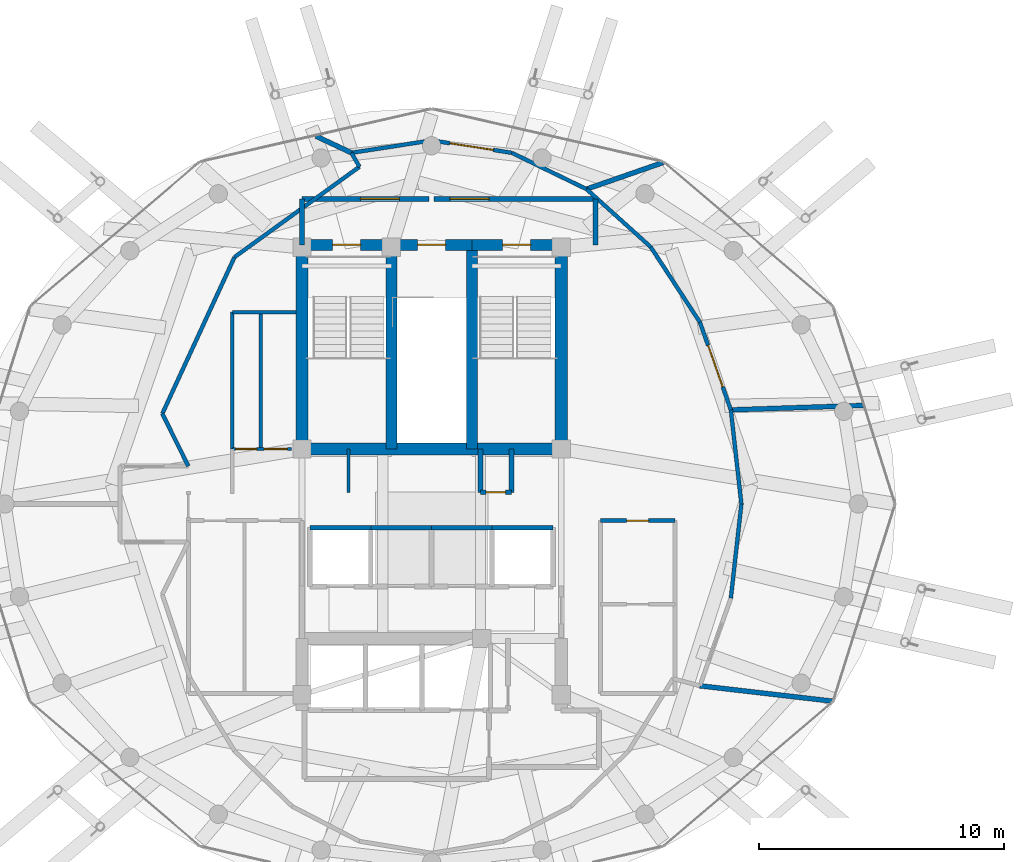
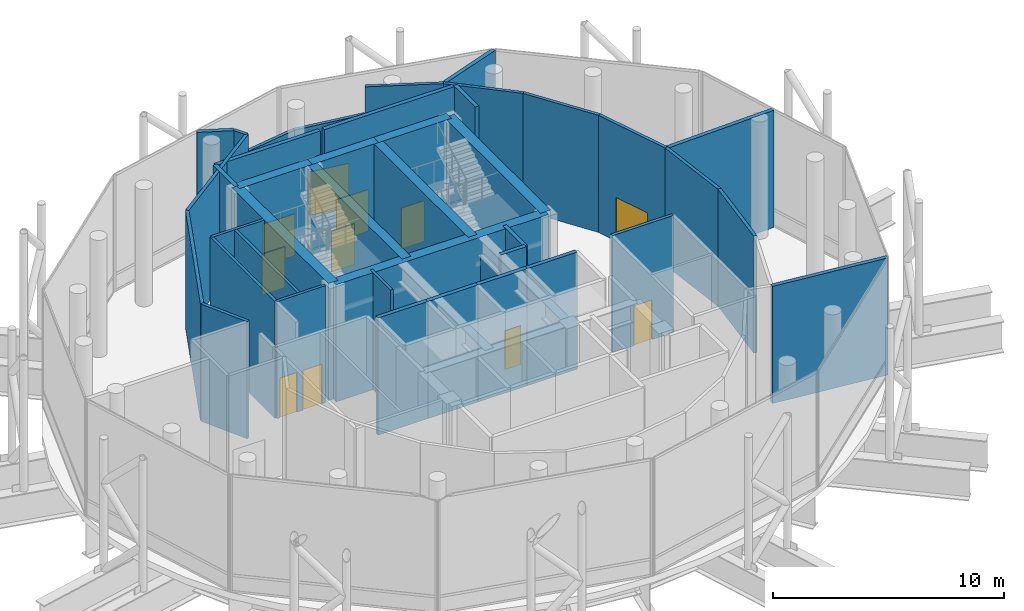
# One storey, part 22 of 26: 41 walls, 11 doors, 11 openings.
"""IFC4 building model written with IfcOpenShell, lengths in metres."""

from ifc_helpers import new_model, si_unit, direction, frame, frame_2d, origin, place, context, subcontext, project, spatial, rectangle, extrude, material, layer, layer_set, type_object, element, fill, save


model = new_model("IFC4")

# Units and contexts
model_context = context("Model", 3, precision=1e-05, world=origin(), true_north=direction((0.0, 1.0)))
body_context = subcontext(model_context, "Body", "Model", "MODEL_VIEW")
ifc_project = project(units=[si_unit("LENGTHUNIT", "METRE"), si_unit("AREAUNIT", "SQUARE_METRE"), si_unit("VOLUMEUNIT", "CUBIC_METRE"), si_unit("PLANEANGLEUNIT", "RADIAN"), si_unit("MASSUNIT", "GRAM", prefix="KILO")], contexts=[model_context])

# Site, building, storey
site_placement = place(None, origin())
site = spatial("IfcSite", under=ifc_project, at=site_placement, CompositionType="ELEMENT")
building_placement = place(site_placement, origin())
building = spatial("IfcBuilding", under=site, at=building_placement, Name="Nuhasar Tower", CompositionType="ELEMENT")
storey_placement = place(building_placement, frame((0.0, 0.0, 306.800048828125)))
storey = spatial("IfcBuildingStorey", under=building, at=storey_placement, Name="L76", CompositionType="ELEMENT", Elevation=306.800048828125)

# Wall, opening, door
ifc_material_1 = material(Name="Concrete C50/60", Category="concrete")
ifc_layer_1 = layer(ifc_material_1, 0.449951171875)
ifc_layer_set_1 = layer_set([ifc_layer_1], Name="Concrete C50/60")
wall_type_1 = type_object("IfcWallType", Name="WL-CORE-450", PredefinedType="SHEAR", material=ifc_layer_set_1)
wall_1_placement = place(storey_placement, frame((37.35009765625, 37.39990234375, 0.0), z_axis=(0.0, 0.0, 1.0), x_axis=(-1.0, 0.0, 0.0)))
wall_1 = element("IfcWall", 1, at=wall_1_placement, inside=storey, type_object=wall_type_1, Name="L76 Stairwell Shear Wall ST01-N", PredefinedType="SHEAR", context=body_context, shape_type="SweptSolid", body=[
    extrude(rectangle(XDim=3.650146484375, YDim=0.449951171875, at=frame_2d((1.8251953125, 0.0))), origin(), (0.0, 0.0, 1.0), 6.179931640625),
])
opening_1_placement = place(wall_1_placement, frame((1.25, 0.0, 0.0)))
opening_1 = element("IfcOpeningElement", 2, at=opening_1_placement, cuts=wall_1, Name="Opening DS-01", PredefinedType="OPENING", context=body_context, shape_type="SweptSolid", body=[
    extrude(rectangle(XDim=1.14990234375, YDim=2.14990234375, at=frame_2d((0.574951171875, 1.074951171875))), frame((0.0, 0.23486328125, 0.0), z_axis=(0.0, -1.0, 0.0), x_axis=(1.0, 0.0, 0.0)), (0.0, 0.0, 1.0), 0.469970703125),
])
ifc_material_2 = material(Name="Steel S355", Category="steel")
door_type_1 = type_object("IfcDoorType", Name="DR-STAIR-FD120-1150", OperationType="NOTDEFINED", PredefinedType="DOOR", material=ifc_material_2)
door_1_placement = place(opening_1_placement, origin())
door_1 = element("IfcDoor", 3, at=door_1_placement, inside=storey, type_object=door_type_1, Name="L76 Exit Stair ST-01 Door", OperationType="SINGLE_SWING_RIGHT", OverallHeight=2.14990234375, OverallWidth=1.14990234375, PredefinedType="DOOR", context=body_context, shape_type="SweptSolid", body=[
    extrude(rectangle(XDim=1.14990234375, YDim=2.14990234375, at=frame_2d((0.574951171875, 1.074951171875))), frame((0.0, 0.02490234375, 0.0), z_axis=(0.0, -1.0, 0.0), x_axis=(1.0, 0.0, 0.0)), (0.0, 0.0, 1.0), 0.050048828125),
])
fill(opening_1, door_1)

# Wall
wall_2_placement = place(storey_placement, frame((37.35009765625, 29.050048828125, 0.0), z_axis=(0.0, 0.0, 1.0), x_axis=(0.0, 1.0, 0.0)))
element("IfcWall", 4, at=wall_2_placement, inside=storey, type_object=wall_type_1, Name="L76 Stairwell Shear Wall ST01-E", PredefinedType="SHEAR", context=body_context, shape_type="SweptSolid", body=[
    extrude(rectangle(XDim=8.349853515625, YDim=0.449951171875, at=frame_2d((4.1748046875, 0.0))), origin(), (0.0, 0.0, 1.0), 6.179931640625),
])

# Wall, opening, door
wall_3_placement = place(storey_placement, frame((40.64990234375, 37.39990234375, 0.0), z_axis=(0.0, 0.0, 1.0), x_axis=(-1.0, 0.0, 0.0)))
wall_3 = element("IfcWall", 5, at=wall_3_placement, inside=storey, type_object=wall_type_1, Name="L76 Stairwell Shear Wall ST03-N", PredefinedType="SHEAR", context=body_context, shape_type="SweptSolid", body=[
    extrude(rectangle(XDim=3.2998046875, YDim=0.449951171875, at=frame_2d((1.64990234375, 0.0))), origin(), (0.0, 0.0, 1.0), 6.179931640625),
])
opening_2_placement = place(wall_3_placement, frame((1.074951171875, 0.0, 0.0)))
opening_2 = element("IfcOpeningElement", 6, at=opening_2_placement, cuts=wall_3, Name="Opening DS-01", PredefinedType="OPENING", context=body_context, shape_type="SweptSolid", body=[
    extrude(rectangle(XDim=1.14990234375, YDim=2.14990234375, at=frame_2d((0.574951171875, 1.074951171875))), frame((0.0, 0.23486328125, 0.0), z_axis=(0.0, -1.0, 0.0), x_axis=(1.0, 0.0, 0.0)), (0.0, 0.0, 1.0), 0.469970703125),
])
door_2_placement = place(opening_2_placement, origin())
door_2 = element("IfcDoor", 7, at=door_2_placement, inside=storey, type_object=door_type_1, Name="L76 Exit Stair ST-03 Door", OperationType="SINGLE_SWING_RIGHT", OverallHeight=2.14990234375, OverallWidth=1.14990234375, PredefinedType="DOOR", context=body_context, shape_type="SweptSolid", body=[
    extrude(rectangle(XDim=1.14990234375, YDim=2.14990234375, at=frame_2d((0.574951171875, 1.074951171875))), frame((0.0, 0.02490234375, 0.0), z_axis=(0.0, -1.0, 0.0), x_axis=(1.0, 0.0, 0.0)), (0.0, 0.0, 1.0), 0.050048828125),
])
fill(opening_2, door_2)

# Wall
wall_4_placement = place(storey_placement, frame((40.64990234375, 29.050048828125, 0.0), z_axis=(0.0, 0.0, 1.0), x_axis=(0.0, 1.0, 0.0)))
element("IfcWall", 8, at=wall_4_placement, inside=storey, type_object=wall_type_1, Name="L76 Stairwell Shear Wall ST03-E", PredefinedType="SHEAR", context=body_context, shape_type="SweptSolid", body=[
    extrude(rectangle(XDim=8.349853515625, YDim=0.449951171875, at=frame_2d((4.1748046875, 0.0))), origin(), (0.0, 0.0, 1.0), 6.179931640625),
])

# Wall, opening, door
wall_5_placement = place(storey_placement, frame((44.300048828125, 37.39990234375, 0.0), z_axis=(0.0, 0.0, 1.0), x_axis=(-1.0, 0.0, 0.0)))
wall_5 = element("IfcWall", 9, at=wall_5_placement, inside=storey, type_object=wall_type_1, Name="L76 Stairwell Shear Wall ST02-N", PredefinedType="SHEAR", context=body_context, shape_type="SweptSolid", body=[
    extrude(rectangle(XDim=3.650146484375, YDim=0.449951171875, at=frame_2d((1.8251953125, 0.0))), origin(), (0.0, 0.0, 1.0), 6.179931640625),
])
opening_3_placement = place(wall_5_placement, frame((1.25, 0.0, 0.0)))
opening_3 = element("IfcOpeningElement", 10, at=opening_3_placement, cuts=wall_5, Name="Opening DS-01", PredefinedType="OPENING", context=body_context, shape_type="SweptSolid", body=[
    extrude(rectangle(XDim=1.14990234375, YDim=2.14990234375, at=frame_2d((0.574951171875, 1.074951171875))), frame((0.0, 0.23486328125, 0.0), z_axis=(0.0, -1.0, 0.0), x_axis=(1.0, 0.0, 0.0)), (0.0, 0.0, 1.0), 0.469970703125),
])
door_3_placement = place(opening_3_placement, origin())
door_3 = element("IfcDoor", 11, at=door_3_placement, inside=storey, type_object=door_type_1, Name="L76 Exit Stair ST-02 Door", OperationType="SINGLE_SWING_LEFT", OverallHeight=2.14990234375, OverallWidth=1.14990234375, PredefinedType="DOOR", context=body_context, shape_type="SweptSolid", body=[
    extrude(rectangle(XDim=1.14990234375, YDim=2.14990234375, at=frame_2d((0.574951171875, 1.074951171875))), frame((0.0, 0.02490234375, 0.0), z_axis=(0.0, -1.0, 0.0), x_axis=(1.0, 0.0, 0.0)), (0.0, 0.0, 1.0), 0.050048828125),
])
fill(opening_3, door_3)

# Walls
ifc_layer_2 = layer(ifc_material_1, 0.5)
ifc_layer_set_2 = layer_set([ifc_layer_2], Name="Concrete C50/60")
wall_type_2 = type_object("IfcWallType", Name="WL-CORE-500", PredefinedType="SHEAR", material=ifc_layer_set_2)
for number, where, z_axis, x_axis, name in (
    (12, (33.699951171875, 29.050048828125, 0.0), (0.0, 0.0, 1.0), (0.0, 1.0, 0.0), "L76 Core Shear Wall CW-NW CW-500"),
    (13, (44.300048828125, 29.050048828125, 0.0), (0.0, 0.0, 1.0), (0.0, 1.0, 0.0), "L76 Core Shear Wall CW-NE CW-500"),
):
    element("IfcWall", number, at=place(storey_placement, frame(where, z_axis=z_axis, x_axis=x_axis)), inside=storey, type_object=wall_type_2, Name=name, PredefinedType="SHEAR", context=body_context, shape_type="SweptSolid", body=[
        extrude(rectangle(XDim=8.349853515625, YDim=0.5, at=frame_2d((4.1748046875, 0.0))), origin(), (0.0, 0.0, 1.0), 6.179931640625),
    ])
wall_6_placement = place(storey_placement, frame((33.699951171875, 29.050048828125, 0.0), z_axis=(0.0, 0.0, 1.0), x_axis=(1.0, 0.0, 0.0)))
element("IfcWall", 14, at=wall_6_placement, inside=storey, type_object=wall_type_2, Name="L76 Core Shear Wall CW-N1 CW-500", PredefinedType="SHEAR", context=body_context, shape_type="SweptSolid", body=[
    extrude(rectangle(XDim=10.60009765625, YDim=0.5, at=frame_2d((5.300048828125, 0.0))), origin(), (0.0, 0.0, 1.0), 6.179931640625),
])

# Wall, opening, door
ifc_material_3 = material(Name="Gypsum Board", Category="gypsum")
ifc_layer_3 = layer(ifc_material_3, 0.159912109375)
ifc_layer_set_3 = layer_set([ifc_layer_3], Name="Gypsum Board")
wall_type_3 = type_object("IfcWallType", Name="WL-CORR-160", PredefinedType="PARTITIONING", material=ifc_layer_set_3)
wall_7_placement = place(storey_placement, frame((48.949951171875, 26.1201171875, 0.0), z_axis=(0.0, 0.0, 1.0), x_axis=(-1.0, 0.0, 0.0)))
wall_7 = element("IfcWall", 15, at=wall_7_placement, inside=storey, type_object=wall_type_3, Name="L76 Interior Partition RECL-B2-N", PredefinedType="PARTITIONING", context=body_context, shape_type="SweptSolid", body=[
    extrude(rectangle(XDim=3.050048828125, YDim=0.159912109375, at=frame_2d((1.52490234375, 0.0))), origin(), (0.0, 0.0, 1.0), 6.179931640625),
])
opening_4_placement = place(wall_7_placement, frame((1.074951171875, 0.0, 0.0)))
opening_4 = element("IfcOpeningElement", 16, at=opening_4_placement, cuts=wall_7, Name="Opening DR-01", PredefinedType="OPENING", context=body_context, shape_type="SweptSolid", body=[
    extrude(rectangle(XDim=0.89990234375, YDim=2.10009765625, at=frame_2d((0.449951171875, 1.050048828125))), frame((0.0, 0.08984375, 0.0), z_axis=(0.0, -1.0, 0.0), x_axis=(1.0, 0.0, 0.0)), (0.0, 0.0, 1.0), 0.179931640625),
])
ifc_material_4 = material(Name="Timber Oak", Category="wood")
door_type_2 = type_object("IfcDoorType", Name="DR-ROOM-900", OperationType="NOTDEFINED", PredefinedType="DOOR", material=ifc_material_4)
door_4_placement = place(opening_4_placement, origin())
door_4 = element("IfcDoor", 17, at=door_4_placement, inside=storey, type_object=door_type_2, Name="L76 Utility Room Door", OperationType="SINGLE_SWING_LEFT", OverallHeight=2.10009765625, OverallWidth=0.89990234375, PredefinedType="DOOR", context=body_context, shape_type="SweptSolid", body=[
    extrude(rectangle(XDim=0.89990234375, YDim=2.10009765625, at=frame_2d((0.449951171875, 1.050048828125))), frame((0.0, 0.02490234375, 0.0), z_axis=(0.0, -1.0, 0.0), x_axis=(1.0, 0.0, 0.0)), (0.0, 0.0, 1.0), 0.050048828125),
])
fill(opening_4, door_4)

# Walls
wall_8_placement = place(storey_placement, frame((51.238037109375, 22.950927734375, 0.0), z_axis=(0.0, 0.0, 1.0), x_axis=(0.1115037761, 0.993764010173, 0.0)))
element("IfcWall", 18, at=wall_8_placement, inside=storey, type_object=wall_type_3, Name="L76 Interior Partition CORR-46", PredefinedType="PARTITIONING", context=body_context, shape_type="SweptSolid", body=[
    extrude(rectangle(XDim=3.873291015625, YDim=0.159912109375, at=frame_2d((1.9365234375, 0.0))), origin(), (0.0, 0.0, 1.0), 6.179931640625),
])
wall_9_placement = place(storey_placement, frame((51.669921875, 26.800048828125, 0.0), z_axis=(0.0, 0.0, 1.0), x_axis=(-0.111510761023, 0.993763226416, 0.0)))
element("IfcWall", 19, at=wall_9_placement, inside=storey, type_object=wall_type_3, Name="L76 Interior Partition CORR-00", PredefinedType="PARTITIONING", context=body_context, shape_type="SweptSolid", body=[
    extrude(rectangle(XDim=3.873046875, YDim=0.159912109375, at=frame_2d((1.9365234375, 0.0))), origin(), (0.0, 0.0, 1.0), 6.179931640625),
])

# Wall, opening, door
wall_10_placement = place(storey_placement, frame((49.972900390625, 34.235107421875, 0.0), z_axis=(0.0, 0.0, 1.0), x_axis=(0.332685787644, -0.943037733444, 0.0)))
wall_10 = element("IfcWall", 20, at=wall_10_placement, inside=storey, type_object=wall_type_3, Name="L76 Interior Partition CORR-02", PredefinedType="PARTITIONING", context=body_context, shape_type="SweptSolid", body=[
    extrude(rectangle(XDim=3.802734375, YDim=0.159912109375, at=frame_2d((1.9013671875, 0.0))), origin(), (0.0, 0.0, 1.0), 6.179931640625),
])
opening_5_placement = place(wall_10_placement, frame((1.0009765625, 0.0, 0.0)))
opening_5 = element("IfcOpeningElement", 21, at=opening_5_placement, cuts=wall_10, Name="Opening DB-02", PredefinedType="OPENING", context=body_context, shape_type="SweptSolid", body=[
    extrude(rectangle(XDim=1.800048828125, YDim=2.300048828125, at=frame_2d((0.89990234375, 1.14990234375))), frame((0.0, 0.08984375, 0.0), z_axis=(0.0, -1.0, 0.0), x_axis=(1.0, 0.0, 0.0)), (0.0, 0.0, 1.0), 0.179931640625),
])
ifc_material_5 = material(Name="Aluminium 6063-T6", Category="aluminium")
door_type_3 = type_object("IfcDoorType", Name="DR-BALL-FD60-1800", OperationType="DOUBLE_DOOR_SINGLE_SWING", PredefinedType="DOOR", material=ifc_material_5)
door_5_placement = place(opening_5_placement, origin())
door_5 = element("IfcDoor", 22, at=door_5_placement, inside=storey, type_object=door_type_3, Name="L76 East Sky Hall Door", OperationType="DOUBLE_DOOR_SINGLE_SWING", OverallHeight=2.300048828125, OverallWidth=1.800048828125, PredefinedType="DOOR", context=body_context, shape_type="SweptSolid", body=[
    extrude(rectangle(XDim=1.800048828125, YDim=2.300048828125, at=frame_2d((0.89990234375, 1.14990234375))), frame((0.0, 0.02490234375, 0.0), z_axis=(0.0, -1.0, 0.0), x_axis=(1.0, 0.0, 0.0)), (0.0, 0.0, 1.0), 0.050048828125),
])
fill(opening_5, door_5)

# Walls
wall_11_placement = place(storey_placement, frame((49.972900390625, 34.235107421875, 0.0), z_axis=(0.0, 0.0, 1.0), x_axis=(-0.547283325884, 0.836947406477, 0.0)))
element("IfcWall", 23, at=wall_11_placement, inside=storey, type_object=wall_type_3, Name="L76 Interior Partition CORR-04", PredefinedType="PARTITIONING", context=body_context, shape_type="SweptSolid", body=[
    extrude(rectangle(XDim=3.679931640625, YDim=0.159912109375, at=frame_2d((1.83984375, 0.0))), origin(), (0.0, 0.0, 1.0), 6.179931640625),
])
wall_12_placement = place(storey_placement, frame((47.958984375, 37.31494140625, 0.0), z_axis=(0.0, 0.0, 1.0), x_axis=(-0.743094720901, 0.669186248939, 0.0)))
element("IfcWall", 24, at=wall_12_placement, inside=storey, type_object=wall_type_3, Name="L76 Interior Partition CORR-06", PredefinedType="PARTITIONING", context=body_context, shape_type="SweptSolid", body=[
    extrude(rectangle(XDim=3.53125, YDim=0.159912109375, at=frame_2d((1.765625, 0.0))), origin(), (0.0, 0.0, 1.0), 6.179931640625),
])
wall_13_placement = place(storey_placement, frame((45.3349609375, 39.677978515625, 0.0), z_axis=(0.0, 0.0, 1.0), x_axis=(-0.899414545514, 0.437096642995, 0.0)))
element("IfcWall", 25, at=wall_13_placement, inside=storey, type_object=wall_type_3, Name="L76 Interior Partition CORR-08", PredefinedType="PARTITIONING", context=body_context, shape_type="SweptSolid", body=[
    extrude(rectangle(XDim=3.397705078125, YDim=0.159912109375, at=frame_2d((1.69873046875, 0.0))), origin(), (0.0, 0.0, 1.0), 6.179931640625),
])

# Wall, opening, door
wall_14_placement = place(storey_placement, frame((39.0, 41.669921875, 0.0), z_axis=(0.0, 0.0, 1.0), x_axis=(0.988264270775, -0.15275382519, 0.0)))
wall_14 = element("IfcWall", 26, at=wall_14_placement, inside=storey, type_object=wall_type_3, Name="L76 Interior Partition CORR-10", PredefinedType="PARTITIONING", context=body_context, shape_type="SweptSolid", body=[
    extrude(rectangle(XDim=3.31787109375, YDim=0.159912109375, at=frame_2d((1.658935546875, 0.0))), origin(), (0.0, 0.0, 1.0), 4.72998046875),
])
opening_6_placement = place(wall_14_placement, frame((0.759033203125, 0.0, 0.0)))
opening_6 = element("IfcOpeningElement", 27, at=opening_6_placement, cuts=wall_14, Name="Opening DB-02", PredefinedType="OPENING", context=body_context, shape_type="SweptSolid", body=[
    extrude(rectangle(XDim=1.800048828125, YDim=2.300048828125, at=frame_2d((0.89990234375, 1.14990234375))), frame((0.0, 0.08984375, 0.0), z_axis=(0.0, -1.0, 0.0), x_axis=(1.0, 0.0, 0.0)), (0.0, 0.0, 1.0), 0.179931640625),
])
door_6_placement = place(opening_6_placement, origin())
door_6 = element("IfcDoor", 28, at=door_6_placement, inside=storey, type_object=door_type_3, Name="L76 North Viewing Lounge Door", OperationType="DOUBLE_DOOR_SINGLE_SWING", OverallHeight=2.300048828125, OverallWidth=1.800048828125, PredefinedType="DOOR", context=body_context, shape_type="SweptSolid", body=[
    extrude(rectangle(XDim=1.800048828125, YDim=2.300048828125, at=frame_2d((0.89990234375, 1.14990234375))), frame((0.0, 0.02490234375, 0.0), z_axis=(0.0, -1.0, 0.0), x_axis=(1.0, 0.0, 0.0)), (0.0, 0.0, 1.0), 0.050048828125),
])
fill(opening_6, door_6)

# Walls
wall_15_placement = place(storey_placement, frame((39.0, 41.669921875, 0.0), z_axis=(0.0, 0.0, 1.0), x_axis=(-0.988264270775, -0.15275382519, 0.0)))
element("IfcWall", 29, at=wall_15_placement, inside=storey, type_object=wall_type_3, Name="L76 Interior Partition CORR-12", PredefinedType="PARTITIONING", context=body_context, shape_type="SweptSolid", body=[
    extrude(rectangle(XDim=3.31787109375, YDim=0.159912109375, at=frame_2d((1.658935546875, 0.0))), origin(), (0.0, 0.0, 1.0), 4.72998046875),
])
wall_16_placement = place(storey_placement, frame((36.049072265625, 40.593017578125, 0.0), z_axis=(0.0, 0.0, 1.0), x_axis=(-0.498854625265, 0.866685677078, 0.0)))
element("IfcWall", 30, at=wall_16_placement, inside=storey, type_object=wall_type_3, Name="L76 Interior Partition SRAD-14-IN", PredefinedType="PARTITIONING", context=body_context, shape_type="SweptSolid", body=[
    extrude(rectangle(XDim=0.65771484375, YDim=0.159912109375, at=frame_2d((0.328857421875, 0.0))), origin(), (0.0, 0.0, 1.0), 6.179931640625),
])
wall_17_placement = place(storey_placement, frame((36.049072265625, 40.593017578125, 0.0), z_axis=(0.0, 0.0, 1.0), x_axis=(-0.810271736342, -0.58605436035, 0.0)))
element("IfcWall", 31, at=wall_17_placement, inside=storey, type_object=wall_type_3, Name="L76 Interior Partition SWEST-CORE-N-14", PredefinedType="PARTITIONING", context=body_context, shape_type="SweptSolid", body=[
    extrude(rectangle(XDim=6.306640625, YDim=0.159912109375, at=frame_2d((3.1533203125, 0.0))), origin(), (0.0, 0.0, 1.0), 6.179931640625),
])
wall_18_placement = place(storey_placement, frame((30.93896484375, 36.89697265625, 0.0), z_axis=(0.0, 0.0, 1.0), x_axis=(-0.41866934876, -0.908138742929, 0.0)))
element("IfcWall", 32, at=wall_18_placement, inside=storey, type_object=wall_type_3, Name="L76 Interior Partition SWEST-CORE-N-18", PredefinedType="PARTITIONING", context=body_context, shape_type="SweptSolid", body=[
    extrude(rectangle(XDim=7.04833984375, YDim=0.159912109375, at=frame_2d((3.524169921875, 0.0))), origin(), (0.0, 0.0, 1.0), 6.179931640625),
])
wall_19_placement = place(storey_placement, frame((27.988037109375, 30.49609375, 0.0), z_axis=(0.0, 0.0, 1.0), x_axis=(0.443539160525, -0.896254993337, 0.0)))
element("IfcWall", 33, at=wall_19_placement, inside=storey, type_object=wall_type_3, Name="L76 Interior Partition WVEST-CN", PredefinedType="PARTITIONING", context=body_context, shape_type="SweptSolid", body=[
    extrude(rectangle(XDim=2.394287109375, YDim=0.159912109375, at=frame_2d((1.197265625, 0.0))), origin(), (0.0, 0.0, 1.0), 6.179931640625),
])
ifc_material_6 = material(Name="Concrete C45/55", Category="concrete")
ifc_layer_4 = layer(ifc_material_6, 0.199951171875)
ifc_layer_set_4 = layer_set([ifc_layer_4], Name="Concrete C45/55")
wall_type_4 = type_object("IfcWallType", Name="WL-LOBBY-200", PredefinedType="SOLIDWALL", material=ifc_layer_set_4)
for number, where, z_axis, x_axis, name in (
    (34, (33.699951171875, 37.39990234375, 0.0), (0.0, 0.0, 1.0), (0.0, 1.0, 0.0), "L76 Interior Partition NSL-W"),
    (35, (45.699951171875, 37.39990234375, 0.0), (0.0, 0.0, 1.0), (0.0, 1.0, 0.0), "L76 Interior Partition NSL-E"),
):
    element("IfcWall", number, at=place(storey_placement, frame(where, z_axis=z_axis, x_axis=x_axis)), inside=storey, type_object=wall_type_4, Name=name, PredefinedType="SOLIDWALL", context=body_context, shape_type="SweptSolid", body=[
        extrude(rectangle(XDim=1.880126953125, YDim=0.199951171875, at=frame_2d((0.93994140625, 0.0))), origin(), (0.0, 0.0, 1.0), 6.179931640625),
    ])

# Wall, opening, door
wall_20_placement = place(storey_placement, frame((38.89990234375, 39.280029296875, 0.0), z_axis=(0.0, 0.0, 1.0), x_axis=(-1.0, 0.0, 0.0)))
wall_20 = element("IfcWall", 36, at=wall_20_placement, inside=storey, type_object=wall_type_4, Name="L76 Interior Partition NSL-N1", PredefinedType="SOLIDWALL", context=body_context, shape_type="SweptSolid", body=[
    extrude(rectangle(XDim=5.199951171875, YDim=0.199951171875, at=frame_2d((2.60009765625, 0.0))), origin(), (0.0, 0.0, 1.0), 6.179931640625),
])
opening_7_placement = place(wall_20_placement, frame((1.216064453125, 0.0, 0.0)))
opening_7 = element("IfcOpeningElement", 37, at=opening_7_placement, cuts=wall_20, Name="Opening DC-01", PredefinedType="OPENING", context=body_context, shape_type="SweptSolid", body=[
    extrude(rectangle(XDim=1.60009765625, YDim=2.199951171875, at=frame_2d((0.800048828125, 1.10009765625))), frame((0.0, 0.10986328125, 0.0), z_axis=(0.0, -1.0, 0.0), x_axis=(1.0, 0.0, 0.0)), (0.0, 0.0, 1.0), 0.219970703125),
])
door_type_4 = type_object("IfcDoorType", Name="DR-CORR-FD60-1600", OperationType="DOUBLE_DOOR_SINGLE_SWING", PredefinedType="DOOR", material=ifc_material_2)
door_7_placement = place(opening_7_placement, origin())
door_7 = element("IfcDoor", 38, at=door_7_placement, inside=storey, type_object=door_type_4, Name="L76 North Stair Lobby West Door", OperationType="DOUBLE_DOOR_SINGLE_SWING", OverallHeight=2.199951171875, OverallWidth=1.60009765625, PredefinedType="DOOR", context=body_context, shape_type="SweptSolid", body=[
    extrude(rectangle(XDim=1.60009765625, YDim=2.199951171875, at=frame_2d((0.800048828125, 1.10009765625))), frame((0.0, 0.02490234375, 0.0), z_axis=(0.0, -1.0, 0.0), x_axis=(1.0, 0.0, 0.0)), (0.0, 0.0, 1.0), 0.050048828125),
])
fill(opening_7, door_7)

wall_21_placement = place(storey_placement, frame((45.699951171875, 39.280029296875, 0.0), z_axis=(0.0, 0.0, 1.0), x_axis=(-1.0, 0.0, 0.0)))
wall_21 = element("IfcWall", 39, at=wall_21_placement, inside=storey, type_object=wall_type_4, Name="L76 Interior Partition NSL-N2", PredefinedType="SOLIDWALL", context=body_context, shape_type="SweptSolid", body=[
    extrude(rectangle(XDim=6.599853515625, YDim=0.199951171875, at=frame_2d((3.2998046875, 0.0))), origin(), (0.0, 0.0, 1.0), 6.179931640625),
])
opening_8_placement = place(wall_21_placement, frame((4.35009765625, 0.0, 0.0)))
opening_8 = element("IfcOpeningElement", 40, at=opening_8_placement, cuts=wall_21, Name="Opening DC-01", PredefinedType="OPENING", context=body_context, shape_type="SweptSolid", body=[
    extrude(rectangle(XDim=1.60009765625, YDim=2.199951171875, at=frame_2d((0.800048828125, 1.10009765625))), frame((0.0, 0.10986328125, 0.0), z_axis=(0.0, -1.0, 0.0), x_axis=(1.0, 0.0, 0.0)), (0.0, 0.0, 1.0), 0.219970703125),
])
door_8_placement = place(opening_8_placement, origin())
door_8 = element("IfcDoor", 41, at=door_8_placement, inside=storey, type_object=door_type_4, Name="L76 North Stair Lobby East Door", OperationType="DOUBLE_DOOR_SINGLE_SWING", OverallHeight=2.199951171875, OverallWidth=1.60009765625, PredefinedType="DOOR", context=body_context, shape_type="SweptSolid", body=[
    extrude(rectangle(XDim=1.60009765625, YDim=2.199951171875, at=frame_2d((0.800048828125, 1.10009765625))), frame((0.0, 0.02490234375, 0.0), z_axis=(0.0, -1.0, 0.0), x_axis=(1.0, 0.0, 0.0)), (0.0, 0.0, 1.0), 0.050048828125),
])
fill(opening_8, door_8)

# Walls
ifc_layer_5 = layer(ifc_material_6, 0.199951171875)
ifc_layer_set_5 = layer_set([ifc_layer_5], Name="Concrete C45/55")
wall_type_5 = type_object("IfcWallType", Name="WL-SHAFT-200", PredefinedType="SOLIDWALL", material=ifc_layer_set_5)
wall_22_placement = place(storey_placement, frame((41.0, 27.280029296875, 0.0), z_axis=(0.0, 0.0, 1.0), x_axis=(0.0, 1.0, 0.0)))
element("IfcWall", 42, at=wall_22_placement, inside=storey, type_object=wall_type_5, Name="L76 Interior Partition RSRN-W", PredefinedType="SOLIDWALL", context=body_context, shape_type="SweptSolid", body=[
    extrude(rectangle(XDim=1.77001953125, YDim=0.199951171875, at=frame_2d((0.885009765625, 0.0))), origin(), (0.0, 0.0, 1.0), 5.22998046875),
])
wall_23_placement = place(storey_placement, frame((42.260009765625, 27.280029296875, 0.0), z_axis=(0.0, 0.0, 1.0), x_axis=(0.0, 1.0, 0.0)))
element("IfcWall", 43, at=wall_23_placement, inside=storey, type_object=wall_type_5, Name="L76 Interior Partition RSRN-E", PredefinedType="SOLIDWALL", context=body_context, shape_type="SweptSolid", body=[
    extrude(rectangle(XDim=1.77001953125, YDim=0.199951171875, at=frame_2d((0.885009765625, 0.0))), origin(), (0.0, 0.0, 1.0), 6.179931640625),
])

# Wall, opening, door
wall_24_placement = place(storey_placement, frame((41.0, 27.280029296875, 0.0), z_axis=(0.0, 0.0, 1.0), x_axis=(1.0, 0.0, 0.0)))
wall_24 = element("IfcWall", 44, at=wall_24_placement, inside=storey, type_object=wall_type_5, Name="L76 Interior Partition RSRN-S", PredefinedType="SOLIDWALL", context=body_context, shape_type="SweptSolid", body=[
    extrude(rectangle(XDim=1.260009765625, YDim=0.199951171875, at=frame_2d((0.6298828125, 0.0))), origin(), (0.0, 0.0, 1.0), 6.179931640625),
])
opening_9_placement = place(wall_24_placement, frame((0.22998046875, 0.0, 0.0)))
opening_9 = element("IfcOpeningElement", 45, at=opening_9_placement, cuts=wall_24, Name="Opening DM-01", PredefinedType="OPENING", context=body_context, shape_type="SweptSolid", body=[
    extrude(rectangle(XDim=0.800048828125, YDim=2.050048828125, at=frame_2d((0.39990234375, 1.02490234375))), frame((0.0, 0.10986328125, 0.0), z_axis=(0.0, -1.0, 0.0), x_axis=(1.0, 0.0, 0.0)), (0.0, 0.0, 1.0), 0.219970703125),
])
door_type_5 = type_object("IfcDoorType", Name="DR-RISER-FD60-800", OperationType="NOTDEFINED", PredefinedType="DOOR", material=ifc_material_2)
door_9_placement = place(opening_9_placement, origin())
door_9 = element("IfcDoor", 46, at=door_9_placement, inside=storey, type_object=door_type_5, Name="L76 North Smoke Riser Door", OperationType="SINGLE_SWING_RIGHT", OverallHeight=2.050048828125, OverallWidth=0.800048828125, PredefinedType="DOOR", context=body_context, shape_type="SweptSolid", body=[
    extrude(rectangle(XDim=0.800048828125, YDim=2.050048828125, at=frame_2d((0.39990234375, 1.02490234375))), frame((0.0, 0.02490234375, 0.0), z_axis=(0.0, -1.0, 0.0), x_axis=(1.0, 0.0, 0.0)), (0.0, 0.0, 1.0), 0.050048828125),
])
fill(opening_9, door_9)

# Walls
for number, where, z_axis, x_axis, name in (
    (47, (34.02001953125, 25.830078125, 0.0), (0.0, 0.0, 1.0), (1.0, 0.0, 0.0), "L76 Interior Partition SHF-PL-H01-N"),
    (48, (36.5, 25.830078125, 0.0), (0.0, 0.0, 1.0), (1.0, 0.0, 0.0), "L76 Interior Partition SHF-PL-H02-N"),
    (49, (38.97998046875, 25.830078125, 0.0), (0.0, 0.0, 1.0), (1.0, 0.0, 0.0), "L76 Interior Partition SHF-PL-H03-N"),
    (50, (41.4599609375, 25.830078125, 0.0), (0.0, 0.0, 1.0), (1.0, 0.0, 0.0), "L76 Interior Partition SHF-PL-H04-N"),
):
    element("IfcWall", number, at=place(storey_placement, frame(where, z_axis=z_axis, x_axis=x_axis)), inside=storey, type_object=wall_type_5, Name=name, PredefinedType="SOLIDWALL", context=body_context, shape_type="SweptSolid", body=[
        extrude(rectangle(XDim=2.5, YDim=0.199951171875, at=frame_2d((1.25, 0.0))), origin(), (0.0, 0.0, 1.0), 6.179931640625),
    ])
ifc_material_7 = material(Name="Concrete C40/50 precast", Category="concrete")
ifc_layer_6 = layer(ifc_material_7, 0.199951171875)
ifc_layer_set_6 = layer_set([ifc_layer_6], Name="Concrete C40/50 precast")
wall_type_6 = type_object("IfcWallType", Name="WL-UNIT-200", PredefinedType="PARTITIONING", material=ifc_layer_set_6)
wall_25_placement = place(storey_placement, frame((49.972900390625, 19.364990234375, 0.0), z_axis=(0.0, 0.0, 1.0), x_axis=(0.993348408025, -0.115147471851, 0.0)))
element("IfcWall", 51, at=wall_25_placement, inside=storey, type_object=wall_type_6, Name="L76 Interior Partition SRAD-44", PredefinedType="PARTITIONING", context=body_context, shape_type="SweptSolid", body=[
    extrude(rectangle(XDim=5.453369140625, YDim=0.199951171875, at=frame_2d((2.7265625, 0.0))), origin(), (0.0, 0.0, 1.0), 6.179931640625),
])
wall_26_placement = place(storey_placement, frame((51.238037109375, 30.64892578125, 0.0), z_axis=(0.0, 0.0, 1.0), x_axis=(0.999435673454, 0.033590692575, 0.0)))
element("IfcWall", 52, at=wall_26_placement, inside=storey, type_object=wall_type_6, Name="L76 Interior Partition SRAD-02", PredefinedType="PARTITIONING", context=body_context, shape_type="SweptSolid", body=[
    extrude(rectangle(XDim=5.422119140625, YDim=0.199951171875, at=frame_2d((2.7109375, 0.0))), origin(), (0.0, 0.0, 1.0), 6.179931640625),
])
wall_27_placement = place(storey_placement, frame((45.3349609375, 39.677978515625, 0.0), z_axis=(0.0, 0.0, 1.0), x_axis=(0.944596217107, 0.328234651777, 0.0)))
element("IfcWall", 53, at=wall_27_placement, inside=storey, type_object=wall_type_6, Name="L76 Interior Partition SRAD-08", PredefinedType="PARTITIONING", context=body_context, shape_type="SweptSolid", body=[
    extrude(rectangle(XDim=3.311279296875, YDim=0.199951171875, at=frame_2d((1.65576171875, 0.0))), origin(), (0.0, 0.0, 1.0), 6.179931640625),
])
wall_28_placement = place(storey_placement, frame((35.720947265625, 41.1630859375, 0.0), z_axis=(0.0, 0.0, 1.0), x_axis=(-0.905146121581, 0.425100574672, 0.0)))
element("IfcWall", 54, at=wall_28_placement, inside=storey, type_object=wall_type_6, Name="L76 Interior Partition SRAD-14-OUT", PredefinedType="PARTITIONING", context=body_context, shape_type="SweptSolid", body=[
    extrude(rectangle(XDim=1.60400390625, YDim=0.199951171875, at=frame_2d((0.802001953125, 0.0))), origin(), (0.0, 0.0, 1.0), 6.179931640625),
])
ifc_layer_7 = layer(ifc_material_7, 0.139892578125)
ifc_layer_set_7 = layer_set([ifc_layer_7], Name="Concrete C40/50 precast")
wall_type_7 = type_object("IfcWallType", Name="WL-WET-140", PredefinedType="PARTITIONING", material=ifc_layer_set_7)
wall_29_placement = place(storey_placement, frame((35.60009765625, 27.280029296875, 0.0), z_axis=(0.0, 0.0, 1.0), x_axis=(0.0, 1.0, 0.0)))
element("IfcWall", 55, at=wall_29_placement, inside=storey, type_object=wall_type_7, Name="L76 Interior Partition CSVC-W", PredefinedType="PARTITIONING", context=body_context, shape_type="SweptSolid", body=[
    extrude(rectangle(XDim=1.77001953125, YDim=0.139892578125, at=frame_2d((0.885009765625, 0.0))), origin(), (0.0, 0.0, 1.0), 6.179931640625),
])

# Wall, openings, doors
wall_30_placement = place(storey_placement, frame((30.85009765625, 29.050048828125, 0.0), z_axis=(0.0, 0.0, 1.0), x_axis=(1.0, 0.0, 0.0)))
wall_30 = element("IfcWall", 56, at=wall_30_placement, inside=storey, type_object=wall_type_7, Name="L76 Interior Partition K2-NW-S", PredefinedType="PARTITIONING", context=body_context, shape_type="SweptSolid", body=[
    extrude(rectangle(XDim=2.429931640625, YDim=0.139892578125, at=frame_2d((1.21484375, 0.0))), origin(), (0.0, 0.0, 1.0), 6.179931640625),
])
opening_10_placement = place(wall_30_placement, frame((0.139892578125, 0.0, 0.0)))
opening_10 = element("IfcOpeningElement", 57, at=opening_10_placement, cuts=wall_30, Name="Opening DB-01", PredefinedType="OPENING", context=body_context, shape_type="SweptSolid", body=[
    extrude(rectangle(XDim=0.85009765625, YDim=2.10009765625, at=frame_2d((0.425048828125, 1.050048828125))), frame((0.0, 0.080078125, 0.0), z_axis=(0.0, -1.0, 0.0), x_axis=(1.0, 0.0, 0.0)), (0.0, 0.0, 1.0), 0.159912109375),
])
opening_11_placement = place(wall_30_placement, frame((1.300048828125, 0.0, 0.0)))
opening_11 = element("IfcOpeningElement", 58, at=opening_11_placement, cuts=wall_30, Name="Opening DA-01", PredefinedType="OPENING", context=body_context, shape_type="SweptSolid", body=[
    extrude(rectangle(XDim=0.949951171875, YDim=2.10009765625, at=frame_2d((0.47509765625, 1.050048828125))), frame((0.0, 0.080078125, 0.0), z_axis=(0.0, -1.0, 0.0), x_axis=(1.0, 0.0, 0.0)), (0.0, 0.0, 1.0), 0.159912109375),
])
door_type_6 = type_object("IfcDoorType", Name="DR-ACCWC-950", OperationType="NOTDEFINED", PredefinedType="DOOR", material=ifc_material_4)
door_10_placement = place(opening_11_placement, origin())
door_10 = element("IfcDoor", 59, at=door_10_placement, inside=storey, type_object=door_type_6, Name="L76 NW Accessible WC Door", OperationType="SINGLE_SWING_RIGHT", OverallHeight=2.10009765625, OverallWidth=0.949951171875, PredefinedType="DOOR", context=body_context, shape_type="SweptSolid", body=[
    extrude(rectangle(XDim=0.949951171875, YDim=2.10009765625, at=frame_2d((0.47509765625, 1.050048828125))), frame((0.0, 0.02490234375, 0.0), z_axis=(0.0, -1.0, 0.0), x_axis=(1.0, 0.0, 0.0)), (0.0, 0.0, 1.0), 0.050048828125),
])
fill(opening_11, door_10)
door_type_7 = type_object("IfcDoorType", Name="DR-BATH-850", OperationType="NOTDEFINED", PredefinedType="DOOR", material=ifc_material_4)
door_11_placement = place(opening_10_placement, origin())
door_11 = element("IfcDoor", 60, at=door_11_placement, inside=storey, type_object=door_type_7, Name="L76 NW Female WC Door", OperationType="SINGLE_SWING_LEFT", OverallHeight=2.10009765625, OverallWidth=0.85009765625, PredefinedType="DOOR", context=body_context, shape_type="SweptSolid", body=[
    extrude(rectangle(XDim=0.85009765625, YDim=2.10009765625, at=frame_2d((0.425048828125, 1.050048828125))), frame((0.0, 0.02490234375, 0.0), z_axis=(0.0, -1.0, 0.0), x_axis=(1.0, 0.0, 0.0)), (0.0, 0.0, 1.0), 0.050048828125),
])
fill(opening_10, door_11)

# Walls
wall_31_placement = place(storey_placement, frame((32.02001953125, 29.050048828125, 0.0), z_axis=(0.0, 0.0, 1.0), x_axis=(0.0, 1.0, 0.0)))
element("IfcWall", 61, at=wall_31_placement, inside=storey, type_object=wall_type_7, Name="L76 Interior Partition K2-NW-V", PredefinedType="PARTITIONING", context=body_context, shape_type="SweptSolid", body=[
    extrude(rectangle(XDim=5.599853515625, YDim=0.139892578125, at=frame_2d((2.7998046875, 0.0))), origin(), (0.0, 0.0, 1.0), 6.179931640625),
])
wall_32_placement = place(storey_placement, frame((30.85009765625, 34.64990234375, 0.0), z_axis=(0.0, 0.0, 1.0), x_axis=(1.0, 0.0, 0.0)))
element("IfcWall", 62, at=wall_32_placement, inside=storey, type_object=wall_type_7, Name="L76 Interior Partition K2-NW-N", PredefinedType="PARTITIONING", context=body_context, shape_type="SweptSolid", body=[
    extrude(rectangle(XDim=2.599853515625, YDim=0.139892578125, at=frame_2d((1.2998046875, 0.0))), origin(), (0.0, 0.0, 1.0), 6.179931640625),
])
wall_33_placement = place(storey_placement, frame((30.85009765625, 29.050048828125, 0.0), z_axis=(0.0, 0.0, 1.0), x_axis=(0.0, 1.0, 0.0)))
element("IfcWall", 63, at=wall_33_placement, inside=storey, type_object=wall_type_7, Name="L76 Interior Partition K2-NW-W", PredefinedType="PARTITIONING", context=body_context, shape_type="SweptSolid", body=[
    extrude(rectangle(XDim=5.599853515625, YDim=0.139892578125, at=frame_2d((2.7998046875, 0.0))), origin(), (0.0, 0.0, 1.0), 6.179931640625),
])

save(model, "model.ifc")
